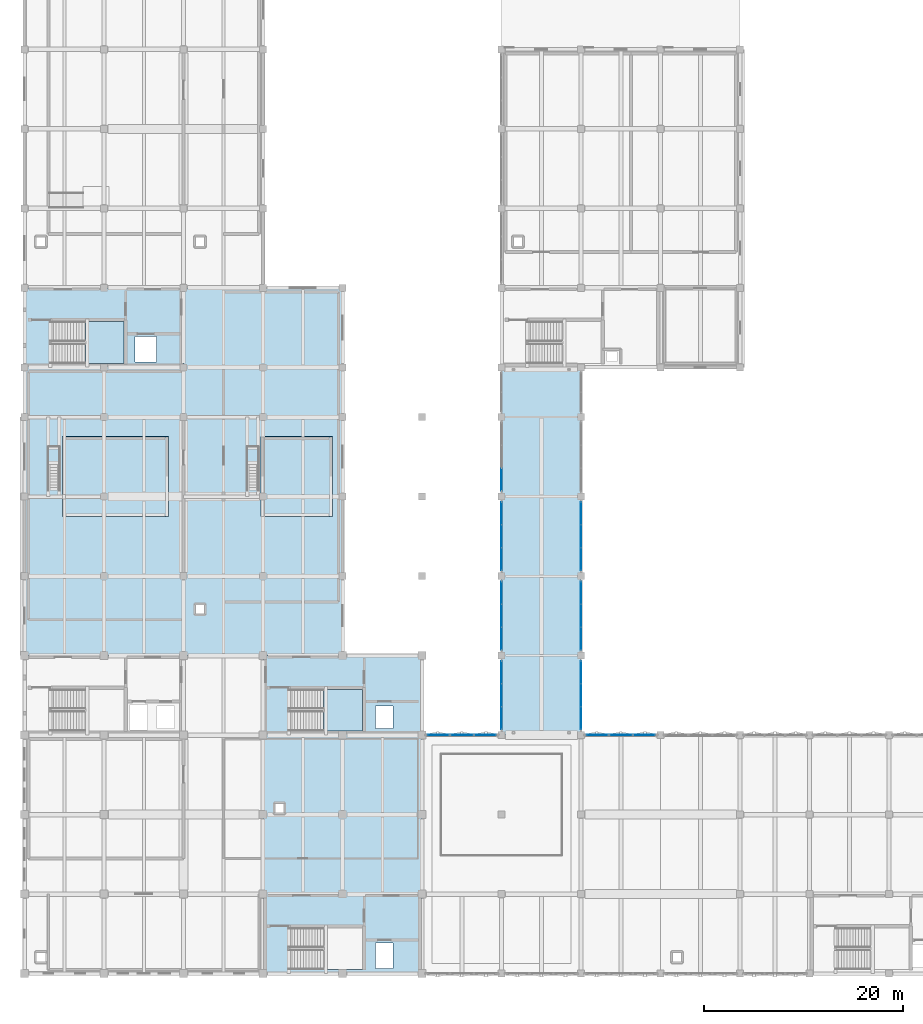
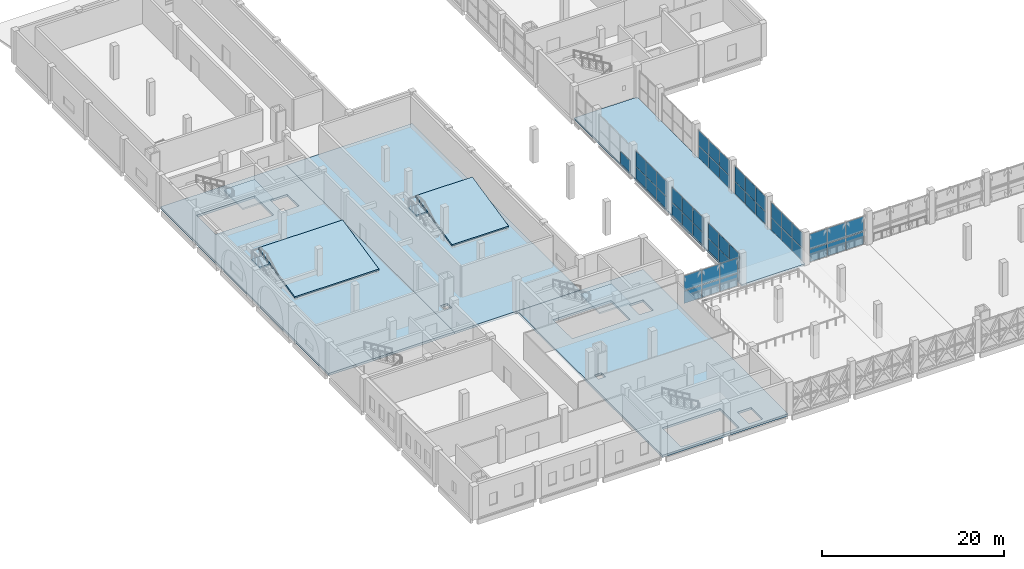
# One storey, part 20 of 45: 49 plates, 10 slabs, 13 elements without a shape of their own.
"""IFC4 building model written with IfcOpenShell, lengths in metres."""

from ifc_helpers import new_model, si_unit, direction, frame, origin, origin_2d, place, context, subcontext, project, spatial, polyline, rectangle, outline, extrude, material, layer, layer_set, type_object, element, aggregate, save


model = new_model("IFC4")

# Units and contexts
model_context = context("Model", 3, precision=1e-05, world=origin(), true_north=direction((0.0, 1.0)))
body_context = subcontext(model_context, "Body", "Model", "MODEL_VIEW")
ifc_project = project(units=[si_unit("LENGTHUNIT", "METRE"), si_unit("AREAUNIT", "SQUARE_METRE"), si_unit("VOLUMEUNIT", "CUBIC_METRE"), si_unit("PLANEANGLEUNIT", "RADIAN"), si_unit("MASSUNIT", "GRAM", prefix="KILO")], contexts=[model_context])

# Site, building, storey
site_placement = place(None, origin())
site = spatial("IfcSite", under=ifc_project, at=site_placement, CompositionType="ELEMENT")
building_placement = place(site_placement, origin())
building = spatial("IfcBuilding", under=site, at=building_placement, Name="Qorikala Patio Media Centre", CompositionType="ELEMENT")
storey_placement = place(building_placement, frame((0.0, 0.0, 9.89990234375)))
storey = spatial("IfcBuildingStorey", under=building, at=storey_placement, Name="L02", CompositionType="ELEMENT", Elevation=9.89990234375)

# Curtain wall, plates
ifc_material_1 = material(Name="Bronze Anodised Aluminium and Low-E Glass", Category="aluminium")
ifc_layer_1 = layer(ifc_material_1, 0.159912109375)
ifc_layer_set_1 = layer_set([ifc_layer_1], Name="Bronze Anodised Aluminium and Low-E Glass")
curtain_wall_type_1 = type_object("IfcCurtainWallType", Name="CW-BRG-696X385", PredefinedType="USERDEFINED", material=ifc_layer_set_1)
curtain_wall_1_placement = place(storey_placement, origin())
curtain_wall_1 = element("IfcCurtainWall", 1, at=curtain_wall_1_placement, inside=storey, type_object=curtain_wall_type_1, Name="L02 Courtyard Curtain Wall 046", ObjectType="COURTYARD CURTAIN WALL", PredefinedType="USERDEFINED")
ifc_material_2 = material(Name="Low-E Double Glazing Glass", Category="glass")
ifc_layer_2 = layer(ifc_material_2, 0.028076171875)
ifc_layer_set_2 = layer_set([ifc_layer_2], Name="Low-E Double Glazing Glass")
plate_type_1 = type_object("IfcPlateType", Name="CWP-28", PredefinedType="CURTAIN_PANEL", material=ifc_layer_set_2)
plate_1_placement = place(storey_placement, frame((51.0, 28.695068359375, 0.06005859375), z_axis=(0.0, 0.0, 1.0), x_axis=(0.0, 1.0, 0.0)))
plate_1 = element("IfcPlate", 2, at=plate_1_placement, type_object=plate_type_1, Name="CWB696385 panel 1.1", PredefinedType="CURTAIN_PANEL", context=body_context, shape_type="SweptSolid", body=[
    extrude(rectangle(XDim=2.22998046875, YDim=0.028076171875, at=origin_2d()), origin(), (0.0, 0.0, 1.0), 1.642578125),
])
plate_2_placement = place(storey_placement, frame((51.0, 28.695068359375, 1.7626953125), z_axis=(0.0, 0.0, 1.0), x_axis=(0.0, 1.0, 0.0)))
plate_2 = element("IfcPlate", 3, at=plate_2_placement, type_object=plate_type_1, Name="CWB696385 panel 1.2", PredefinedType="CURTAIN_PANEL", context=body_context, shape_type="SweptSolid", body=[
    extrude(rectangle(XDim=2.22998046875, YDim=0.028076171875, at=origin_2d()), origin(), (0.0, 0.0, 1.0), 2.027587890625),
])
plate_3_placement = place(storey_placement, frame((51.0, 31.0, 0.06005859375), z_axis=(0.0, 0.0, 1.0), x_axis=(0.0, 1.0, 0.0)))
plate_3 = element("IfcPlate", 4, at=plate_3_placement, type_object=plate_type_1, Name="CWB696385 panel 2.1", PredefinedType="CURTAIN_PANEL", context=body_context, shape_type="SweptSolid", body=[
    extrude(rectangle(XDim=2.260009765625, YDim=0.028076171875, at=origin_2d()), origin(), (0.0, 0.0, 1.0), 1.642578125),
])
plate_4_placement = place(storey_placement, frame((51.0, 31.0, 1.7626953125), z_axis=(0.0, 0.0, 1.0), x_axis=(0.0, 1.0, 0.0)))
plate_4 = element("IfcPlate", 5, at=plate_4_placement, type_object=plate_type_1, Name="CWB696385 panel 2.2", PredefinedType="CURTAIN_PANEL", context=body_context, shape_type="SweptSolid", body=[
    extrude(rectangle(XDim=2.260009765625, YDim=0.028076171875, at=origin_2d()), origin(), (0.0, 0.0, 1.0), 2.027587890625),
])
plate_5_placement = place(storey_placement, frame((51.0, 33.304931640625, 0.06005859375), z_axis=(0.0, 0.0, 1.0), x_axis=(0.0, 1.0, 0.0)))
plate_5 = element("IfcPlate", 6, at=plate_5_placement, type_object=plate_type_1, Name="CWB696385 panel 3.1", PredefinedType="CURTAIN_PANEL", context=body_context, shape_type="SweptSolid", body=[
    extrude(rectangle(XDim=2.22998046875, YDim=0.028076171875, at=origin_2d()), origin(), (0.0, 0.0, 1.0), 1.642578125),
])
plate_6_placement = place(storey_placement, frame((51.0, 33.304931640625, 1.7626953125), z_axis=(0.0, 0.0, 1.0), x_axis=(0.0, 1.0, 0.0)))
plate_6 = element("IfcPlate", 7, at=plate_6_placement, type_object=plate_type_1, Name="CWB696385 panel 3.2", PredefinedType="CURTAIN_PANEL", context=body_context, shape_type="SweptSolid", body=[
    extrude(rectangle(XDim=2.22998046875, YDim=0.028076171875, at=origin_2d()), origin(), (0.0, 0.0, 1.0), 2.027587890625),
])
aggregate(curtain_wall_1, [plate_1, plate_2, plate_3, plate_4, plate_5, plate_6])

curtain_wall_2_placement = place(storey_placement, origin())
curtain_wall_2 = element("IfcCurtainWall", 8, at=curtain_wall_2_placement, inside=storey, type_object=curtain_wall_type_1, Name="L02 Courtyard Curtain Wall 047", ObjectType="COURTYARD CURTAIN WALL", PredefinedType="USERDEFINED")
plate_7_placement = place(storey_placement, frame((51.0, 36.695068359375, 0.06005859375), z_axis=(0.0, 0.0, 1.0), x_axis=(0.0, 1.0, 0.0)))
plate_7 = element("IfcPlate", 9, at=plate_7_placement, type_object=plate_type_1, Name="CWB696385 panel 1.1", PredefinedType="CURTAIN_PANEL", context=body_context, shape_type="SweptSolid", body=[
    extrude(rectangle(XDim=2.22998046875, YDim=0.028076171875, at=origin_2d()), origin(), (0.0, 0.0, 1.0), 1.642578125),
])
plate_8_placement = place(storey_placement, frame((51.0, 36.695068359375, 1.7626953125), z_axis=(0.0, 0.0, 1.0), x_axis=(0.0, 1.0, 0.0)))
plate_8 = element("IfcPlate", 10, at=plate_8_placement, type_object=plate_type_1, Name="CWB696385 panel 1.2", PredefinedType="CURTAIN_PANEL", context=body_context, shape_type="SweptSolid", body=[
    extrude(rectangle(XDim=2.22998046875, YDim=0.028076171875, at=origin_2d()), origin(), (0.0, 0.0, 1.0), 2.027587890625),
])
plate_9_placement = place(storey_placement, frame((51.0, 39.0, 0.06005859375), z_axis=(0.0, 0.0, 1.0), x_axis=(0.0, 1.0, 0.0)))
plate_9 = element("IfcPlate", 11, at=plate_9_placement, type_object=plate_type_1, Name="CWB696385 panel 2.1", PredefinedType="CURTAIN_PANEL", context=body_context, shape_type="SweptSolid", body=[
    extrude(rectangle(XDim=2.260009765625, YDim=0.028076171875, at=origin_2d()), origin(), (0.0, 0.0, 1.0), 1.642578125),
])
plate_10_placement = place(storey_placement, frame((51.0, 39.0, 1.7626953125), z_axis=(0.0, 0.0, 1.0), x_axis=(0.0, 1.0, 0.0)))
plate_10 = element("IfcPlate", 12, at=plate_10_placement, type_object=plate_type_1, Name="CWB696385 panel 2.2", PredefinedType="CURTAIN_PANEL", context=body_context, shape_type="SweptSolid", body=[
    extrude(rectangle(XDim=2.260009765625, YDim=0.028076171875, at=origin_2d()), origin(), (0.0, 0.0, 1.0), 2.027587890625),
])
plate_11_placement = place(storey_placement, frame((51.0, 41.304931640625, 0.06005859375), z_axis=(0.0, 0.0, 1.0), x_axis=(0.0, 1.0, 0.0)))
plate_11 = element("IfcPlate", 13, at=plate_11_placement, type_object=plate_type_1, Name="CWB696385 panel 3.1", PredefinedType="CURTAIN_PANEL", context=body_context, shape_type="SweptSolid", body=[
    extrude(rectangle(XDim=2.22998046875, YDim=0.028076171875, at=origin_2d()), origin(), (0.0, 0.0, 1.0), 1.642578125),
])
plate_12_placement = place(storey_placement, frame((51.0, 41.304931640625, 1.7626953125), z_axis=(0.0, 0.0, 1.0), x_axis=(0.0, 1.0, 0.0)))
plate_12 = element("IfcPlate", 14, at=plate_12_placement, type_object=plate_type_1, Name="CWB696385 panel 3.2", PredefinedType="CURTAIN_PANEL", context=body_context, shape_type="SweptSolid", body=[
    extrude(rectangle(XDim=2.22998046875, YDim=0.028076171875, at=origin_2d()), origin(), (0.0, 0.0, 1.0), 2.027587890625),
])
aggregate(curtain_wall_2, [plate_7, plate_8, plate_9, plate_10, plate_11, plate_12])

curtain_wall_3_placement = place(storey_placement, origin())
curtain_wall_3 = element("IfcCurtainWall", 15, at=curtain_wall_3_placement, inside=storey, type_object=curtain_wall_type_1, Name="L02 Courtyard Curtain Wall 048", ObjectType="COURTYARD CURTAIN WALL", PredefinedType="USERDEFINED")
plate_13_placement = place(storey_placement, frame((51.0, 44.695068359375, 0.06005859375), z_axis=(0.0, 0.0, 1.0), x_axis=(0.0, 1.0, 0.0)))
plate_13 = element("IfcPlate", 16, at=plate_13_placement, type_object=plate_type_1, Name="CWB696385 panel 1.1", PredefinedType="CURTAIN_PANEL", context=body_context, shape_type="SweptSolid", body=[
    extrude(rectangle(XDim=2.22998046875, YDim=0.028076171875, at=origin_2d()), origin(), (0.0, 0.0, 1.0), 1.642578125),
])
plate_14_placement = place(storey_placement, frame((51.0, 44.695068359375, 1.7626953125), z_axis=(0.0, 0.0, 1.0), x_axis=(0.0, 1.0, 0.0)))
plate_14 = element("IfcPlate", 17, at=plate_14_placement, type_object=plate_type_1, Name="CWB696385 panel 1.2", PredefinedType="CURTAIN_PANEL", context=body_context, shape_type="SweptSolid", body=[
    extrude(rectangle(XDim=2.22998046875, YDim=0.028076171875, at=origin_2d()), origin(), (0.0, 0.0, 1.0), 2.027587890625),
])
plate_15_placement = place(storey_placement, frame((51.0, 47.0, 0.06005859375), z_axis=(0.0, 0.0, 1.0), x_axis=(0.0, 1.0, 0.0)))
plate_15 = element("IfcPlate", 18, at=plate_15_placement, type_object=plate_type_1, Name="CWB696385 panel 2.1", PredefinedType="CURTAIN_PANEL", context=body_context, shape_type="SweptSolid", body=[
    extrude(rectangle(XDim=2.260009765625, YDim=0.028076171875, at=origin_2d()), origin(), (0.0, 0.0, 1.0), 1.642578125),
])
plate_16_placement = place(storey_placement, frame((51.0, 47.0, 1.7626953125), z_axis=(0.0, 0.0, 1.0), x_axis=(0.0, 1.0, 0.0)))
plate_16 = element("IfcPlate", 19, at=plate_16_placement, type_object=plate_type_1, Name="CWB696385 panel 2.2", PredefinedType="CURTAIN_PANEL", context=body_context, shape_type="SweptSolid", body=[
    extrude(rectangle(XDim=2.260009765625, YDim=0.028076171875, at=origin_2d()), origin(), (0.0, 0.0, 1.0), 2.027587890625),
])
plate_17_placement = place(storey_placement, frame((51.0, 49.304931640625, 0.06005859375), z_axis=(0.0, 0.0, 1.0), x_axis=(0.0, 1.0, 0.0)))
plate_17 = element("IfcPlate", 20, at=plate_17_placement, type_object=plate_type_1, Name="CWB696385 panel 3.1", PredefinedType="CURTAIN_PANEL", context=body_context, shape_type="SweptSolid", body=[
    extrude(rectangle(XDim=2.22998046875, YDim=0.028076171875, at=origin_2d()), origin(), (0.0, 0.0, 1.0), 1.642578125),
])
plate_18_placement = place(storey_placement, frame((51.0, 49.304931640625, 1.7626953125), z_axis=(0.0, 0.0, 1.0), x_axis=(0.0, 1.0, 0.0)))
plate_18 = element("IfcPlate", 21, at=plate_18_placement, type_object=plate_type_1, Name="CWB696385 panel 3.2", PredefinedType="CURTAIN_PANEL", context=body_context, shape_type="SweptSolid", body=[
    extrude(rectangle(XDim=2.22998046875, YDim=0.028076171875, at=origin_2d()), origin(), (0.0, 0.0, 1.0), 2.027587890625),
])
aggregate(curtain_wall_3, [plate_13, plate_14, plate_15, plate_16, plate_17, plate_18])

# Curtain wall, plate
curtain_wall_4_placement = place(storey_placement, origin())
curtain_wall_4 = element("IfcCurtainWall", 22, at=curtain_wall_4_placement, inside=storey, type_object=curtain_wall_type_1, Name="L02 Courtyard Curtain Wall 049", ObjectType="COURTYARD CURTAIN WALL", PredefinedType="USERDEFINED")
plate_19_placement = place(storey_placement, frame((51.0, 52.695068359375, 0.06005859375), z_axis=(0.0, 0.0, 1.0), x_axis=(0.0, 1.0, 0.0)))
plate_19 = element("IfcPlate", 23, at=plate_19_placement, type_object=plate_type_1, Name="CWB696385 panel 1.1", PredefinedType="CURTAIN_PANEL", context=body_context, shape_type="SweptSolid", body=[
    extrude(rectangle(XDim=2.22998046875, YDim=0.028076171875, at=origin_2d()), origin(), (0.0, 0.0, 1.0), 1.642578125),
])
aggregate(curtain_wall_4, [plate_19])

# Curtain wall, plates
curtain_wall_5_placement = place(storey_placement, origin())
curtain_wall_5 = element("IfcCurtainWall", 24, at=curtain_wall_5_placement, inside=storey, type_object=curtain_wall_type_1, Name="L02 Courtyard Curtain Wall 056", ObjectType="COURTYARD CURTAIN WALL", PredefinedType="USERDEFINED")
plate_20_placement = place(storey_placement, frame((59.0, 49.304931640625, 0.06005859375), z_axis=(0.0, 0.0, 1.0), x_axis=(0.0, -1.0, 0.0)))
plate_20 = element("IfcPlate", 25, at=plate_20_placement, type_object=plate_type_1, Name="CWB696385 panel 1.1", PredefinedType="CURTAIN_PANEL", context=body_context, shape_type="SweptSolid", body=[
    extrude(rectangle(XDim=2.22998046875, YDim=0.028076171875, at=origin_2d()), origin(), (0.0, 0.0, 1.0), 1.642578125),
])
plate_21_placement = place(storey_placement, frame((59.0, 49.304931640625, 1.7626953125), z_axis=(0.0, 0.0, 1.0), x_axis=(0.0, -1.0, 0.0)))
plate_21 = element("IfcPlate", 26, at=plate_21_placement, type_object=plate_type_1, Name="CWB696385 panel 1.2", PredefinedType="CURTAIN_PANEL", context=body_context, shape_type="SweptSolid", body=[
    extrude(rectangle(XDim=2.22998046875, YDim=0.028076171875, at=origin_2d()), origin(), (0.0, 0.0, 1.0), 2.027587890625),
])
plate_22_placement = place(storey_placement, frame((59.0, 47.0, 0.06005859375), z_axis=(0.0, 0.0, 1.0), x_axis=(0.0, -1.0, 0.0)))
plate_22 = element("IfcPlate", 27, at=plate_22_placement, type_object=plate_type_1, Name="CWB696385 panel 2.1", PredefinedType="CURTAIN_PANEL", context=body_context, shape_type="SweptSolid", body=[
    extrude(rectangle(XDim=2.260009765625, YDim=0.028076171875, at=origin_2d()), origin(), (0.0, 0.0, 1.0), 1.642578125),
])
plate_23_placement = place(storey_placement, frame((59.0, 47.0, 1.7626953125), z_axis=(0.0, 0.0, 1.0), x_axis=(0.0, -1.0, 0.0)))
plate_23 = element("IfcPlate", 28, at=plate_23_placement, type_object=plate_type_1, Name="CWB696385 panel 2.2", PredefinedType="CURTAIN_PANEL", context=body_context, shape_type="SweptSolid", body=[
    extrude(rectangle(XDim=2.260009765625, YDim=0.028076171875, at=origin_2d()), origin(), (0.0, 0.0, 1.0), 2.027587890625),
])
plate_24_placement = place(storey_placement, frame((59.0, 44.695068359375, 0.06005859375), z_axis=(0.0, 0.0, 1.0), x_axis=(0.0, -1.0, 0.0)))
plate_24 = element("IfcPlate", 29, at=plate_24_placement, type_object=plate_type_1, Name="CWB696385 panel 3.1", PredefinedType="CURTAIN_PANEL", context=body_context, shape_type="SweptSolid", body=[
    extrude(rectangle(XDim=2.22998046875, YDim=0.028076171875, at=origin_2d()), origin(), (0.0, 0.0, 1.0), 1.642578125),
])
plate_25_placement = place(storey_placement, frame((59.0, 44.695068359375, 1.7626953125), z_axis=(0.0, 0.0, 1.0), x_axis=(0.0, -1.0, 0.0)))
plate_25 = element("IfcPlate", 30, at=plate_25_placement, type_object=plate_type_1, Name="CWB696385 panel 3.2", PredefinedType="CURTAIN_PANEL", context=body_context, shape_type="SweptSolid", body=[
    extrude(rectangle(XDim=2.22998046875, YDim=0.028076171875, at=origin_2d()), origin(), (0.0, 0.0, 1.0), 2.027587890625),
])
aggregate(curtain_wall_5, [plate_20, plate_21, plate_22, plate_23, plate_24, plate_25])

curtain_wall_6_placement = place(storey_placement, origin())
curtain_wall_6 = element("IfcCurtainWall", 31, at=curtain_wall_6_placement, inside=storey, type_object=curtain_wall_type_1, Name="L02 Courtyard Curtain Wall 057", ObjectType="COURTYARD CURTAIN WALL", PredefinedType="USERDEFINED")
plate_26_placement = place(storey_placement, frame((59.0, 41.304931640625, 0.06005859375), z_axis=(0.0, 0.0, 1.0), x_axis=(0.0, -1.0, 0.0)))
plate_26 = element("IfcPlate", 32, at=plate_26_placement, type_object=plate_type_1, Name="CWB696385 panel 1.1", PredefinedType="CURTAIN_PANEL", context=body_context, shape_type="SweptSolid", body=[
    extrude(rectangle(XDim=2.22998046875, YDim=0.028076171875, at=origin_2d()), origin(), (0.0, 0.0, 1.0), 1.642578125),
])
plate_27_placement = place(storey_placement, frame((59.0, 41.304931640625, 1.7626953125), z_axis=(0.0, 0.0, 1.0), x_axis=(0.0, -1.0, 0.0)))
plate_27 = element("IfcPlate", 33, at=plate_27_placement, type_object=plate_type_1, Name="CWB696385 panel 1.2", PredefinedType="CURTAIN_PANEL", context=body_context, shape_type="SweptSolid", body=[
    extrude(rectangle(XDim=2.22998046875, YDim=0.028076171875, at=origin_2d()), origin(), (0.0, 0.0, 1.0), 2.027587890625),
])
plate_28_placement = place(storey_placement, frame((59.0, 39.0, 0.06005859375), z_axis=(0.0, 0.0, 1.0), x_axis=(0.0, -1.0, 0.0)))
plate_28 = element("IfcPlate", 34, at=plate_28_placement, type_object=plate_type_1, Name="CWB696385 panel 2.1", PredefinedType="CURTAIN_PANEL", context=body_context, shape_type="SweptSolid", body=[
    extrude(rectangle(XDim=2.260009765625, YDim=0.028076171875, at=origin_2d()), origin(), (0.0, 0.0, 1.0), 1.642578125),
])
plate_29_placement = place(storey_placement, frame((59.0, 39.0, 1.7626953125), z_axis=(0.0, 0.0, 1.0), x_axis=(0.0, -1.0, 0.0)))
plate_29 = element("IfcPlate", 35, at=plate_29_placement, type_object=plate_type_1, Name="CWB696385 panel 2.2", PredefinedType="CURTAIN_PANEL", context=body_context, shape_type="SweptSolid", body=[
    extrude(rectangle(XDim=2.260009765625, YDim=0.028076171875, at=origin_2d()), origin(), (0.0, 0.0, 1.0), 2.027587890625),
])
plate_30_placement = place(storey_placement, frame((59.0, 36.695068359375, 0.06005859375), z_axis=(0.0, 0.0, 1.0), x_axis=(0.0, -1.0, 0.0)))
plate_30 = element("IfcPlate", 36, at=plate_30_placement, type_object=plate_type_1, Name="CWB696385 panel 3.1", PredefinedType="CURTAIN_PANEL", context=body_context, shape_type="SweptSolid", body=[
    extrude(rectangle(XDim=2.22998046875, YDim=0.028076171875, at=origin_2d()), origin(), (0.0, 0.0, 1.0), 1.642578125),
])
plate_31_placement = place(storey_placement, frame((59.0, 36.695068359375, 1.7626953125), z_axis=(0.0, 0.0, 1.0), x_axis=(0.0, -1.0, 0.0)))
plate_31 = element("IfcPlate", 37, at=plate_31_placement, type_object=plate_type_1, Name="CWB696385 panel 3.2", PredefinedType="CURTAIN_PANEL", context=body_context, shape_type="SweptSolid", body=[
    extrude(rectangle(XDim=2.22998046875, YDim=0.028076171875, at=origin_2d()), origin(), (0.0, 0.0, 1.0), 2.027587890625),
])
aggregate(curtain_wall_6, [plate_26, plate_27, plate_28, plate_29, plate_30, plate_31])

curtain_wall_7_placement = place(storey_placement, origin())
curtain_wall_7 = element("IfcCurtainWall", 38, at=curtain_wall_7_placement, inside=storey, type_object=curtain_wall_type_1, Name="L02 Courtyard Curtain Wall 058", ObjectType="COURTYARD CURTAIN WALL", PredefinedType="USERDEFINED")
plate_32_placement = place(storey_placement, frame((59.0, 33.304931640625, 0.06005859375), z_axis=(0.0, 0.0, 1.0), x_axis=(0.0, -1.0, 0.0)))
plate_32 = element("IfcPlate", 39, at=plate_32_placement, type_object=plate_type_1, Name="CWB696385 panel 1.1", PredefinedType="CURTAIN_PANEL", context=body_context, shape_type="SweptSolid", body=[
    extrude(rectangle(XDim=2.22998046875, YDim=0.028076171875, at=origin_2d()), origin(), (0.0, 0.0, 1.0), 1.642578125),
])
plate_33_placement = place(storey_placement, frame((59.0, 33.304931640625, 1.7626953125), z_axis=(0.0, 0.0, 1.0), x_axis=(0.0, -1.0, 0.0)))
plate_33 = element("IfcPlate", 40, at=plate_33_placement, type_object=plate_type_1, Name="CWB696385 panel 1.2", PredefinedType="CURTAIN_PANEL", context=body_context, shape_type="SweptSolid", body=[
    extrude(rectangle(XDim=2.22998046875, YDim=0.028076171875, at=origin_2d()), origin(), (0.0, 0.0, 1.0), 2.027587890625),
])
plate_34_placement = place(storey_placement, frame((59.0, 31.0, 0.06005859375), z_axis=(0.0, 0.0, 1.0), x_axis=(0.0, -1.0, 0.0)))
plate_34 = element("IfcPlate", 41, at=plate_34_placement, type_object=plate_type_1, Name="CWB696385 panel 2.1", PredefinedType="CURTAIN_PANEL", context=body_context, shape_type="SweptSolid", body=[
    extrude(rectangle(XDim=2.260009765625, YDim=0.028076171875, at=origin_2d()), origin(), (0.0, 0.0, 1.0), 1.642578125),
])
plate_35_placement = place(storey_placement, frame((59.0, 31.0, 1.7626953125), z_axis=(0.0, 0.0, 1.0), x_axis=(0.0, -1.0, 0.0)))
plate_35 = element("IfcPlate", 42, at=plate_35_placement, type_object=plate_type_1, Name="CWB696385 panel 2.2", PredefinedType="CURTAIN_PANEL", context=body_context, shape_type="SweptSolid", body=[
    extrude(rectangle(XDim=2.260009765625, YDim=0.028076171875, at=origin_2d()), origin(), (0.0, 0.0, 1.0), 2.027587890625),
])
plate_36_placement = place(storey_placement, frame((59.0, 28.695068359375, 0.06005859375), z_axis=(0.0, 0.0, 1.0), x_axis=(0.0, -1.0, 0.0)))
plate_36 = element("IfcPlate", 43, at=plate_36_placement, type_object=plate_type_1, Name="CWB696385 panel 3.1", PredefinedType="CURTAIN_PANEL", context=body_context, shape_type="SweptSolid", body=[
    extrude(rectangle(XDim=2.22998046875, YDim=0.028076171875, at=origin_2d()), origin(), (0.0, 0.0, 1.0), 1.642578125),
])
plate_37_placement = place(storey_placement, frame((59.0, 28.695068359375, 1.7626953125), z_axis=(0.0, 0.0, 1.0), x_axis=(0.0, -1.0, 0.0)))
plate_37 = element("IfcPlate", 44, at=plate_37_placement, type_object=plate_type_1, Name="CWB696385 panel 3.2", PredefinedType="CURTAIN_PANEL", context=body_context, shape_type="SweptSolid", body=[
    extrude(rectangle(XDim=2.22998046875, YDim=0.028076171875, at=origin_2d()), origin(), (0.0, 0.0, 1.0), 2.027587890625),
])
aggregate(curtain_wall_7, [plate_32, plate_33, plate_34, plate_35, plate_36, plate_37])

ifc_material_3 = material(Name="Golden Bronze Anodised Aluminium and Low-E Glass", Category="aluminium")
ifc_layer_3 = layer(ifc_material_3, 0.159912109375)
ifc_layer_set_3 = layer_set([ifc_layer_3], Name="Golden Bronze Anodised Aluminium and Low-E Glass")
curtain_wall_type_2 = type_object("IfcCurtainWallType", Name="CW-DIA-696X385", PredefinedType="USERDEFINED", material=ifc_layer_set_3)
curtain_wall_8_placement = place(storey_placement, origin())
curtain_wall_8 = element("IfcCurtainWall", 45, at=curtain_wall_8_placement, inside=storey, type_object=curtain_wall_type_2, Name="L02 Courtyard Curtain Wall 045", ObjectType="COURTYARD CURTAIN WALL", PredefinedType="USERDEFINED")
ifc_material_4 = material(Name="Solar-Control Diamond Facet Glass", Category="glass")
ifc_layer_4 = layer(ifc_material_4, 0.035888671875)
ifc_layer_set_4 = layer_set([ifc_layer_4], Name="Solar-Control Diamond Facet Glass")
plate_type_2 = type_object("IfcPlateType", Name="CWP-36", PredefinedType="CURTAIN_PANEL", material=ifc_layer_set_4)
plate_38_placement = place(storey_placement, frame((44.6962890625, 27.0, 0.06494140625), z_axis=(0.0, 0.0, 1.0), x_axis=(1.0, 0.0, 0.0)))
plate_38 = element("IfcPlate", 46, at=plate_38_placement, type_object=plate_type_2, Name="CWD696385 panel 1.1", PredefinedType="CURTAIN_PANEL", context=body_context, shape_type="SweptSolid", body=[
    extrude(rectangle(XDim=2.222412109375, YDim=0.035888671875, at=origin_2d()), origin(), (0.0, 0.0, 1.0), 1.635009765625),
])
plate_39_placement = place(storey_placement, frame((44.6962890625, 27.0, 1.76513671875), z_axis=(0.0, 0.0, 1.0), x_axis=(1.0, 0.0, 0.0)))
plate_39 = element("IfcPlate", 47, at=plate_39_placement, type_object=plate_type_2, Name="CWD696385 panel 1.2", PredefinedType="CURTAIN_PANEL", context=body_context, shape_type="SweptSolid", body=[
    extrude(rectangle(XDim=2.222412109375, YDim=0.035888671875, at=origin_2d()), origin(), (0.0, 0.0, 1.0), 2.02001953125),
])
plate_40_placement = place(storey_placement, frame((47.0, 27.0, 0.06494140625), z_axis=(0.0, 0.0, 1.0), x_axis=(1.0, 0.0, 0.0)))
plate_40 = element("IfcPlate", 48, at=plate_40_placement, type_object=plate_type_2, Name="CWD696385 panel 2.1", PredefinedType="CURTAIN_PANEL", context=body_context, shape_type="SweptSolid", body=[
    extrude(rectangle(XDim=2.2548828125, YDim=0.035888671875, at=origin_2d()), origin(), (0.0, 0.0, 1.0), 1.635009765625),
])
plate_41_placement = place(storey_placement, frame((47.0, 27.0, 1.76513671875), z_axis=(0.0, 0.0, 1.0), x_axis=(1.0, 0.0, 0.0)))
plate_41 = element("IfcPlate", 49, at=plate_41_placement, type_object=plate_type_2, Name="CWD696385 panel 2.2", PredefinedType="CURTAIN_PANEL", context=body_context, shape_type="SweptSolid", body=[
    extrude(rectangle(XDim=2.2548828125, YDim=0.035888671875, at=origin_2d()), origin(), (0.0, 0.0, 1.0), 2.02001953125),
])
plate_42_placement = place(storey_placement, frame((49.3037109375, 27.0, 0.06494140625), z_axis=(0.0, 0.0, 1.0), x_axis=(1.0, 0.0, 0.0)))
plate_42 = element("IfcPlate", 50, at=plate_42_placement, type_object=plate_type_2, Name="CWD696385 panel 3.1", PredefinedType="CURTAIN_PANEL", context=body_context, shape_type="SweptSolid", body=[
    extrude(rectangle(XDim=2.222412109375, YDim=0.035888671875, at=origin_2d()), origin(), (0.0, 0.0, 1.0), 1.635009765625),
])
plate_43_placement = place(storey_placement, frame((49.3037109375, 27.0, 1.76513671875), z_axis=(0.0, 0.0, 1.0), x_axis=(1.0, 0.0, 0.0)))
plate_43 = element("IfcPlate", 51, at=plate_43_placement, type_object=plate_type_2, Name="CWD696385 panel 3.2", PredefinedType="CURTAIN_PANEL", context=body_context, shape_type="SweptSolid", body=[
    extrude(rectangle(XDim=2.222412109375, YDim=0.035888671875, at=origin_2d()), origin(), (0.0, 0.0, 1.0), 2.02001953125),
])
aggregate(curtain_wall_8, [plate_38, plate_39, plate_40, plate_41, plate_42, plate_43])

curtain_wall_9_placement = place(storey_placement, origin())
curtain_wall_9 = element("IfcCurtainWall", 52, at=curtain_wall_9_placement, inside=storey, type_object=curtain_wall_type_2, Name="L02 Courtyard Curtain Wall 059", ObjectType="COURTYARD CURTAIN WALL", PredefinedType="USERDEFINED")
plate_44_placement = place(storey_placement, frame((60.6962890625, 27.0, 0.06494140625), z_axis=(0.0, 0.0, 1.0), x_axis=(1.0, 0.0, 0.0)))
plate_44 = element("IfcPlate", 53, at=plate_44_placement, type_object=plate_type_2, Name="CWD696385 panel 1.1", PredefinedType="CURTAIN_PANEL", context=body_context, shape_type="SweptSolid", body=[
    extrude(rectangle(XDim=2.222412109375, YDim=0.035888671875, at=origin_2d()), origin(), (0.0, 0.0, 1.0), 1.635009765625),
])
plate_45_placement = place(storey_placement, frame((60.6962890625, 27.0, 1.76513671875), z_axis=(0.0, 0.0, 1.0), x_axis=(1.0, 0.0, 0.0)))
plate_45 = element("IfcPlate", 54, at=plate_45_placement, type_object=plate_type_2, Name="CWD696385 panel 1.2", PredefinedType="CURTAIN_PANEL", context=body_context, shape_type="SweptSolid", body=[
    extrude(rectangle(XDim=2.222412109375, YDim=0.035888671875, at=origin_2d()), origin(), (0.0, 0.0, 1.0), 2.02001953125),
])
plate_46_placement = place(storey_placement, frame((63.0, 27.0, 0.06494140625), z_axis=(0.0, 0.0, 1.0), x_axis=(1.0, 0.0, 0.0)))
plate_46 = element("IfcPlate", 55, at=plate_46_placement, type_object=plate_type_2, Name="CWD696385 panel 2.1", PredefinedType="CURTAIN_PANEL", context=body_context, shape_type="SweptSolid", body=[
    extrude(rectangle(XDim=2.2548828125, YDim=0.035888671875, at=origin_2d()), origin(), (0.0, 0.0, 1.0), 1.635009765625),
])
plate_47_placement = place(storey_placement, frame((63.0, 27.0, 1.76513671875), z_axis=(0.0, 0.0, 1.0), x_axis=(1.0, 0.0, 0.0)))
plate_47 = element("IfcPlate", 56, at=plate_47_placement, type_object=plate_type_2, Name="CWD696385 panel 2.2", PredefinedType="CURTAIN_PANEL", context=body_context, shape_type="SweptSolid", body=[
    extrude(rectangle(XDim=2.2548828125, YDim=0.035888671875, at=origin_2d()), origin(), (0.0, 0.0, 1.0), 2.02001953125),
])
plate_48_placement = place(storey_placement, frame((65.3037109375, 27.0, 0.06494140625), z_axis=(0.0, 0.0, 1.0), x_axis=(1.0, 0.0, 0.0)))
plate_48 = element("IfcPlate", 57, at=plate_48_placement, type_object=plate_type_2, Name="CWD696385 panel 3.1", PredefinedType="CURTAIN_PANEL", context=body_context, shape_type="SweptSolid", body=[
    extrude(rectangle(XDim=2.222412109375, YDim=0.035888671875, at=origin_2d()), origin(), (0.0, 0.0, 1.0), 1.635009765625),
])
plate_49_placement = place(storey_placement, frame((65.3037109375, 27.0, 1.76513671875), z_axis=(0.0, 0.0, 1.0), x_axis=(1.0, 0.0, 0.0)))
plate_49 = element("IfcPlate", 58, at=plate_49_placement, type_object=plate_type_2, Name="CWD696385 panel 3.2", PredefinedType="CURTAIN_PANEL", context=body_context, shape_type="SweptSolid", body=[
    extrude(rectangle(XDim=2.222412109375, YDim=0.035888671875, at=origin_2d()), origin(), (0.0, 0.0, 1.0), 2.02001953125),
])
aggregate(curtain_wall_9, [plate_44, plate_45, plate_46, plate_47, plate_48, plate_49])

# Slabs
ifc_material_5 = material(Name="Concrete C35/45", Category="concrete")
ifc_layer_5 = layer(ifc_material_5, 0.219970703125)
ifc_layer_set_5 = layer_set([ifc_layer_5], Name="Concrete C35/45")
slab_type_1 = type_object("IfcSlabType", Name="SL-BRIDGE-220", PredefinedType="FLOOR", material=ifc_layer_set_5)
slab_1_placement = place(storey_placement, frame((0.0, 0.0, -0.219970703125)))
element("IfcSlab", 59, at=slab_1_placement, inside=storey, type_object=slab_type_1, Name="L02 BRG_W Slab 10.1", PredefinedType="FLOOR", context=body_context, shape_type="SweptSolid", body=[
    extrude(outline(polyline([(51.0, 27.0), (51.0, 64.0), (59.0, 64.0), (59.0, 27.0), (51.0, 27.0)])), origin(), (0.0, 0.0, 1.0), 0.219970703125),
])
ifc_layer_6 = layer(ifc_material_5, 0.300048828125)
ifc_layer_set_6 = layer_set([ifc_layer_6], Name="Concrete C35/45")
slab_type_2 = type_object("IfcSlabType", Name="SL-FLOOR-300", PredefinedType="FLOOR", material=ifc_layer_set_6)
slab_2_placement = place(storey_placement, frame((0.0, 0.0, -0.2998046875)))
element("IfcSlab", 60, at=slab_2_placement, inside=storey, type_object=slab_type_2, Name="L02 V1B Slab 2.1", PredefinedType="FLOOR", context=body_context, shape_type="SweptSolid", body=[
    extrude(outline(polyline([(43.0, 3.0), (27.0, 3.0), (27.0, 35.0), (43.0, 35.0), (43.0, 3.0)]), holes=[polyline([(38.320068359375, 3.52001953125), (40.080078125, 3.52001953125), (40.080078125, 6.080078125), (38.320068359375, 6.080078125), (38.320068359375, 3.52001953125)]), polyline([(29.60009765625, 3.39990234375), (37.0, 3.39990234375), (37.0, 7.60009765625), (29.60009765625, 7.60009765625), (29.60009765625, 3.39990234375)]), polyline([(29.10009765625, 19.199951171875), (29.10009765625, 20.10009765625), (28.199951171875, 20.10009765625), (28.199951171875, 19.199951171875), (29.10009765625, 19.199951171875)]), polyline([(29.60009765625, 27.39990234375), (37.0, 27.39990234375), (37.0, 31.60009765625), (29.60009765625, 31.60009765625), (29.60009765625, 27.39990234375)]), polyline([(38.320068359375, 27.669921875), (40.080078125, 27.669921875), (40.080078125, 29.929931640625), (38.320068359375, 29.929931640625), (38.320068359375, 27.669921875)])]), origin(), (0.0, 0.0, 1.0), 0.2998046875),
])
slab_3_placement = place(storey_placement, frame((0.0, 0.0, -0.2998046875)))
element("IfcSlab", 61, at=slab_3_placement, inside=storey, type_object=slab_type_2, Name="L02 V3A Slab 5.1", PredefinedType="FLOOR", context=body_context, shape_type="SweptSolid", body=[
    extrude(outline(polyline([(19.0, 72.0), (19.0, 35.0), (3.0, 35.0), (3.0, 72.0), (19.0, 72.0)]), holes=[polyline([(16.280029296875, 64.52001953125), (16.280029296875, 67.080078125), (14.1201171875, 67.080078125), (14.1201171875, 64.52001953125), (16.280029296875, 64.52001953125)]), polyline([(5.60009765625, 64.39990234375), (13.0, 64.39990234375), (13.0, 68.60009765625), (5.60009765625, 68.60009765625), (5.60009765625, 64.39990234375)])]), origin(), (0.0, 0.0, 1.0), 0.2998046875),
])
slab_4_placement = place(storey_placement, frame((0.0, 0.0, -0.2998046875)))
element("IfcSlab", 62, at=slab_4_placement, inside=storey, type_object=slab_type_2, Name="L02 V3B Slab 6.1", PredefinedType="FLOOR", context=body_context, shape_type="SweptSolid", body=[
    extrude(outline(polyline([(35.0, 35.0), (27.0, 35.0), (19.0, 35.0), (19.0, 72.0), (35.0, 72.0), (35.0, 35.0)]), holes=[polyline([(20.199951171875, 39.199951171875), (21.10009765625, 39.199951171875), (21.10009765625, 40.10009765625), (20.199951171875, 40.10009765625), (20.199951171875, 39.199951171875)])]), origin(), (0.0, 0.0, 1.0), 0.2998046875),
])

# Stair, slab
ifc_material_6 = material(Name="Precast concrete C40/50", Category="concrete")
stair_type_1 = type_object("IfcStairType", Name="ST-DL-26R173W200", PredefinedType="HALF_TURN_STAIR", material=ifc_material_6)
stair_1_placement = place(storey_placement, origin())
stair_1 = element("IfcStair", 63, at=stair_1_placement, inside=storey, type_object=stair_type_1, Name="L02 Core C3 Exit Stair ST-3", PredefinedType="HALF_TURN_STAIR")
ifc_layer_7 = layer(ifc_material_6, 0.199951171875)
ifc_layer_set_7 = layer_set([ifc_layer_7], Name="Precast concrete C40/50")
slab_type_3 = type_object("IfcSlabType", Name="SL-LAND-200", PredefinedType="LANDING", material=ifc_layer_set_7)
slab_5_placement = place(storey_placement, frame((0.0, 0.0, 2.050048828125)))
slab_5 = element("IfcSlab", 64, at=slab_5_placement, type_object=slab_type_3, Name="ST-3 landing 1", PredefinedType="LANDING", context=body_context, shape_type="SweptSolid", body=[
    extrude(outline(polyline([(9.080078125, 64.39990234375), (13.0, 64.39990234375), (13.0, 68.60009765625), (9.080078125, 68.60009765625), (9.080078125, 64.39990234375)])), origin(), (0.0, 0.0, 1.0), 0.199951171875),
])
aggregate(stair_1, [slab_5])

stair_2_placement = place(storey_placement, origin())
stair_2 = element("IfcStair", 65, at=stair_2_placement, inside=storey, type_object=stair_type_1, Name="L02 Core C5 Exit Stair ST-5", PredefinedType="HALF_TURN_STAIR")
slab_6_placement = place(storey_placement, frame((0.0, 0.0, 2.050048828125)))
slab_6 = element("IfcSlab", 66, at=slab_6_placement, type_object=slab_type_3, Name="ST-5 landing 1", PredefinedType="LANDING", context=body_context, shape_type="SweptSolid", body=[
    extrude(outline(polyline([(33.080078125, 27.39990234375), (37.0, 27.39990234375), (37.0, 31.60009765625), (33.080078125, 31.60009765625), (33.080078125, 27.39990234375)])), origin(), (0.0, 0.0, 1.0), 0.199951171875),
])
aggregate(stair_2, [slab_6])

stair_type_2 = type_object("IfcStairType", Name="ST-VOM-STR", PredefinedType="STRAIGHT_RUN_STAIR", material=ifc_material_5)
stair_3_placement = place(storey_placement, origin())
stair_3 = element("IfcStair", 67, at=stair_3_placement, inside=storey, type_object=stair_type_2, Name="Vomitory Stair VS-03", PredefinedType="STRAIGHT_RUN_STAIR")
slab_7_placement = place(storey_placement, frame((0.0, 0.0, 1.60009765625)))
slab_7 = element("IfcSlab", 68, at=slab_7_placement, type_object=slab_type_3, Name="VS-03 landing 1", PredefinedType="LANDING", context=body_context, shape_type="SweptSolid", body=[
    extrude(outline(polyline([(5.324951171875, 54.25), (6.574951171875, 54.25), (6.574951171875, 56.050048828125), (5.324951171875, 56.050048828125), (5.324951171875, 54.25)])), origin(), (0.0, 0.0, 1.0), 0.199951171875),
])
aggregate(stair_3, [slab_7])

stair_4_placement = place(storey_placement, origin())
stair_4 = element("IfcStair", 69, at=stair_4_placement, inside=storey, type_object=stair_type_2, Name="Vomitory Stair VS-04", PredefinedType="STRAIGHT_RUN_STAIR")
slab_8_placement = place(storey_placement, frame((0.0, 0.0, 1.60009765625)))
slab_8 = element("IfcSlab", 70, at=slab_8_placement, type_object=slab_type_3, Name="VS-04 landing 1", PredefinedType="LANDING", context=body_context, shape_type="SweptSolid", body=[
    extrude(outline(polyline([(25.324951171875, 54.25), (26.574951171875, 54.25), (26.574951171875, 56.050048828125), (25.324951171875, 56.050048828125), (25.324951171875, 54.25)])), origin(), (0.0, 0.0, 1.0), 0.199951171875),
])
aggregate(stair_4, [slab_8])

# Slabs
ifc_layer_8 = layer(ifc_material_5, 0.239990234375)
ifc_layer_set_8 = layer_set([ifc_layer_8], Name="Concrete C35/45")
slab_type_4 = type_object("IfcSlabType", Name="SL-TIER-240", PredefinedType="USERDEFINED", material=ifc_layer_set_8)
slab_9_placement = place(storey_placement, frame((6.800048828125, 49.0, 0.5), z_axis=(0.0, -0.213696878805, 0.976900017396), x_axis=(1.0, 0.0, 0.0)))
element("IfcSlab", 71, at=slab_9_placement, inside=storey, type_object=slab_type_4, Name="Cinema Screen 3 Raked Seating Tier", ObjectType="SEATING TIER", PredefinedType="USERDEFINED", context=body_context, shape_type="SweptSolid", body=[
    extrude(outline(polyline([(0.0, 0.0), (10.699951171875, 0.0), (10.699951171875, 8.1891696770796), (0.0, 8.1891696770796), (0.0, 0.0)])), origin(), (0.0, 0.0, -1.0), 0.239990234375),
])
slab_10_placement = place(storey_placement, frame((26.800048828125, 49.0, 0.5), z_axis=(0.0, -0.213696878805, 0.976900017396), x_axis=(1.0, 0.0, 0.0)))
element("IfcSlab", 72, at=slab_10_placement, inside=storey, type_object=slab_type_4, Name="Cinema Screen 4 Raked Seating Tier", ObjectType="SEATING TIER", PredefinedType="USERDEFINED", context=body_context, shape_type="SweptSolid", body=[
    extrude(outline(polyline([(0.0, 0.0), (7.199951171875, 0.0), (7.199951171875, 8.189169677079601), (0.0, 8.189169677079601), (0.0, 0.0)])), origin(), (0.0, 0.0, -1.0), 0.239990234375),
])

save(model, "model.ifc")
